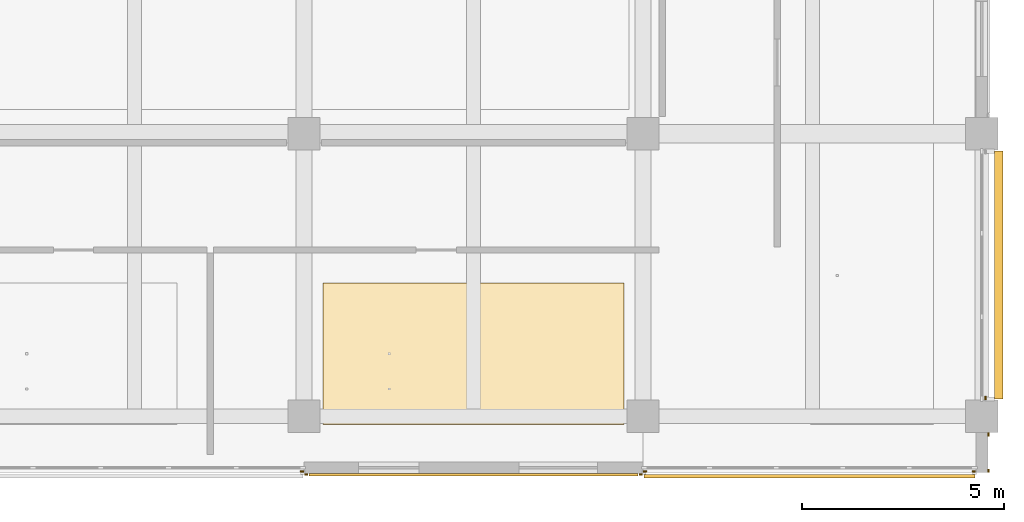
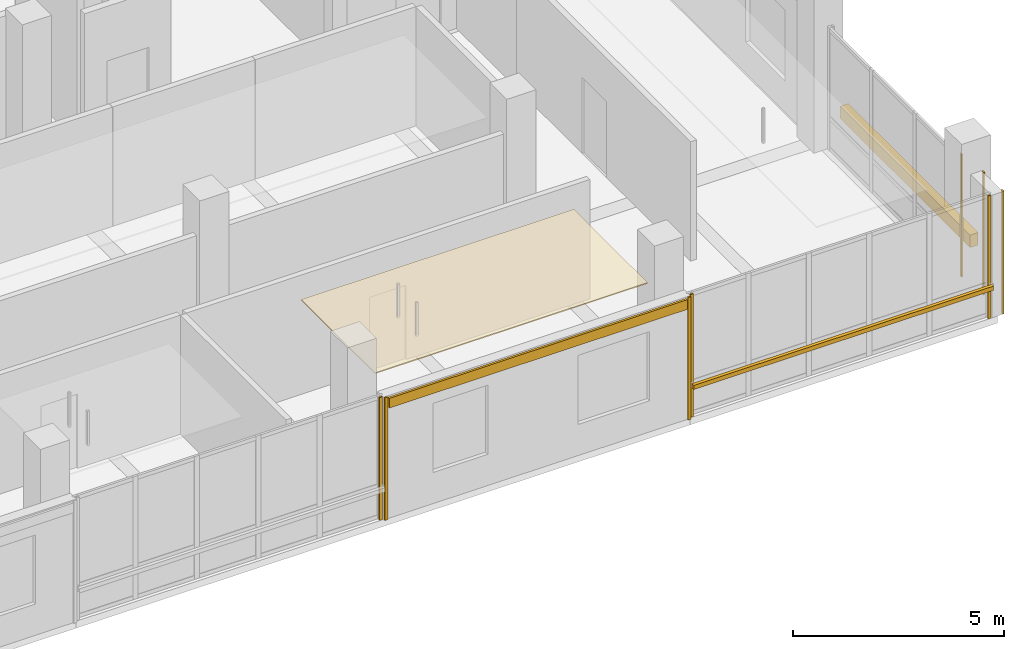
# One storey, part 28 of 34: 10 coverings, 2 shading devices.
"""IFC4 building model written with IfcOpenShell, lengths in metres."""

from ifc_helpers import new_model, si_unit, direction, frame, origin, origin_2d, place, context, subcontext, project, spatial, polyline, rectangle, outline, extrude, material, layer, layer_set, type_object, element, save


model = new_model("IFC4")

# Units and contexts
model_context = context("Model", 3, precision=1e-05, world=origin(), true_north=direction((0.0, 1.0)))
body_context = subcontext(model_context, "Body", "Model", "MODEL_VIEW")
ifc_project = project(units=[si_unit("LENGTHUNIT", "METRE"), si_unit("AREAUNIT", "SQUARE_METRE"), si_unit("VOLUMEUNIT", "CUBIC_METRE"), si_unit("PLANEANGLEUNIT", "RADIAN"), si_unit("MASSUNIT", "GRAM", prefix="KILO")], contexts=[model_context])

# Site, building, storey
site_placement = place(None, origin())
site = spatial("IfcSite", under=ifc_project, at=site_placement, CompositionType="ELEMENT")
building_placement = place(site_placement, origin())
building = spatial("IfcBuilding", under=site, at=building_placement, Name="Telukmera Botanical Conservatory", CompositionType="ELEMENT")
storey_placement = place(building_placement, frame((0.0, 0.0, 37.5)))
storey = spatial("IfcBuildingStorey", under=building, at=storey_placement, Name="L08", CompositionType="ELEMENT", Elevation=37.5)

# Coverings
ifc_material_1 = material(Name="Mineral fibre acoustic ceiling")
ifc_layer_1 = layer(ifc_material_1, 0.030029296875)
ifc_layer_set_1 = layer_set([ifc_layer_1], Name="Mineral fibre acoustic ceiling")
covering_type_1 = type_object("IfcCoveringType", Name="COV-CEIL-30", PredefinedType="CEILING", material=ifc_layer_set_1)
covering_1_placement = place(storey_placement, frame((0.0, 0.0, 3.320068359375)))
element("IfcCovering", 1, at=covering_1_placement, inside=storey, type_object=covering_type_1, Name="L08 Botanical Data Curation Studio Suspended Acoustic Ceiling", PredefinedType="CEILING", context=body_context, shape_type="SweptSolid", body=[
    extrude(outline(polyline([(84.469970703125, 10.39990234375), (91.929931640625, 10.39990234375), (91.929931640625, 13.89990234375), (84.469970703125, 13.89990234375), (84.469970703125, 10.39990234375)])), origin(), (0.0, 0.0, 1.0), 0.030029296875),
])
ifc_material_2 = material(Name="Granite-faced precast concrete C40/50", Category="masonry")
ifc_layer_2 = layer(ifc_material_2, 0.0400390625)
ifc_layer_set_2 = layer_set([ifc_layer_2], Name="Granite-faced precast concrete C40/50")
covering_type_2 = type_object("IfcCoveringType", Name="Granite Precast Column Pier Reveal Casing", PredefinedType="CLADDING", material=ifc_layer_set_2)
for number, where, z_axis, x_axis, name in (
    (2, (100.969970703125, 9.25, 0.0), (0.0, 0.0, 1.0), (0.0, 1.0, 0.0), "Granite Pier Reveal V4:L08:SEC L"),
    (3, (100.969970703125, 10.14794921875, 0.0), (0.0, 0.0, 1.0), (0.0, 1.0, 0.0), "Granite Pier Reveal V4:L08:SEC R"),
    (4, (83.947998046875, 9.22998046875, 0.0), (0.0, 0.0, 1.0), (1.0, 0.0, 0.0), "Granite Pier Reveal V4:L08:S4 R"),
    (5, (84.052001953125, 9.159912109375, 0.0), (0.0, 0.0, 1.0), (1.0, 0.0, 0.0), "Granite Pier Reveal V4:L08:S5 L"),
    (6, (92.347900390625, 9.159912109375, 0.0), (0.0, 0.0, 1.0), (1.0, 0.0, 0.0), "Granite Pier Reveal V4:L08:S5 R"),
    (7, (92.451904296875, 9.22998046875, 0.0), (0.0, 0.0, 1.0), (1.0, 0.0, 0.0), "Granite Pier Reveal V4:L08:S6 L"),
    (8, (100.597900390625, 9.22998046875, 0.0), (0.0, 0.0, 1.0), (1.0, 0.0, 0.0), "Granite Pier Reveal V4:L08:S6 R"),
    (9, (100.889892578125, 11.052001953125, 0.0), (0.0, 0.0, 1.0), (0.0, 1.0, 0.0), "Granite Pier Reveal V4:L08:E1 L"),
):
    element("IfcCovering", number, at=place(storey_placement, frame(where, z_axis=z_axis, x_axis=x_axis)), inside=storey, type_object=covering_type_2, Name=name, PredefinedType="CLADDING", context=body_context, shape_type="SweptSolid", body=[
        extrude(rectangle(XDim=0.080078125, YDim=0.0400390625, at=origin_2d()), origin(), (0.0, 0.0, 1.0), 3.550048828125),
    ])

# Shading devices
ifc_material_3 = material(Name="Perforated terracotta-anodised aluminium 6063-T6", Category="masonry")
ifc_layer_3 = layer(ifc_material_3, 0.050048828125)
ifc_layer_set_3 = layer_set([ifc_layer_3], Name="Perforated terracotta-anodised aluminium 6063-T6")
shading_device_type_1 = type_object("IfcShadingDeviceType", Name="Operable Monsoon Solar Louvre Shutter Bank", PredefinedType="SHUTTER", material=ifc_layer_set_3)
shading_device_1_placement = place(storey_placement, frame((101.219970703125, 14.10009765625, 0.77001953125), z_axis=(0.0, 0.0, 1.0), x_axis=(0.0, 1.0, 0.0)))
element("IfcShadingDevice", 10, at=shading_device_1_placement, inside=storey, type_object=shading_device_type_1, Name="Monsoon Shading SH01 V4:L08:E1", PredefinedType="SHUTTER", context=body_context, shape_type="SweptSolid", body=[
    extrude(rectangle(XDim=6.156005859375, YDim=0.219970703125, at=origin_2d()), origin(), (0.0, 0.0, 1.0), 0.360107421875),
])
ifc_layer_4 = layer(ifc_material_3, 0.044921875)
ifc_layer_set_4 = layer_set([ifc_layer_4], Name="Perforated terracotta-anodised aluminium 6063-T6")
shading_device_type_2 = type_object("IfcShadingDeviceType", Name="Perforated Terracotta Aluminium Monsoon Brise Soleil", PredefinedType="JALOUSIE", material=ifc_layer_set_4)
shading_device_2_placement = place(storey_placement, frame((96.52490234375, 9.114990234375, 0.889892578125), z_axis=(0.0, 0.0, 1.0), x_axis=(1.0, 0.0, 0.0)))
element("IfcShadingDevice", 11, at=shading_device_2_placement, inside=storey, type_object=shading_device_type_2, Name="Monsoon Shading BS01 V4:L08:S6", PredefinedType="JALOUSIE", context=body_context, shape_type="SweptSolid", body=[
    extrude(rectangle(XDim=8.2060546875, YDim=0.090087890625, at=origin_2d()), origin(), (0.0, 0.0, 1.0), 0.1201171875),
])

# Covering
ifc_material_4 = material(Name="Terracotta-faced precast concrete C40/50", Category="masonry")
ifc_layer_5 = layer(ifc_material_4, 0.06005859375)
ifc_layer_set_5 = layer_set([ifc_layer_5], Name="Terracotta-faced precast concrete C40/50")
covering_type_3 = type_object("IfcCoveringType", Name="Polychrome Terracotta Facade Band Cladding", PredefinedType="CLADDING", material=ifc_layer_set_5)
covering_2_placement = place(storey_placement, frame((88.199951171875, 9.14990234375, 3.22998046875), z_axis=(0.0, 0.0, 1.0), x_axis=(1.0, 0.0, 0.0)))
element("IfcCovering", 12, at=covering_2_placement, inside=storey, type_object=covering_type_3, Name="Polychrome Terracotta Band V4:L08:S5", PredefinedType="CLADDING", context=body_context, shape_type="SweptSolid", body=[
    extrude(rectangle(XDim=8.156005859375, YDim=0.06005859375, at=origin_2d()), origin(), (0.0, 0.0, 1.0), 0.280029296875),
])

save(model, "model.ifc")
